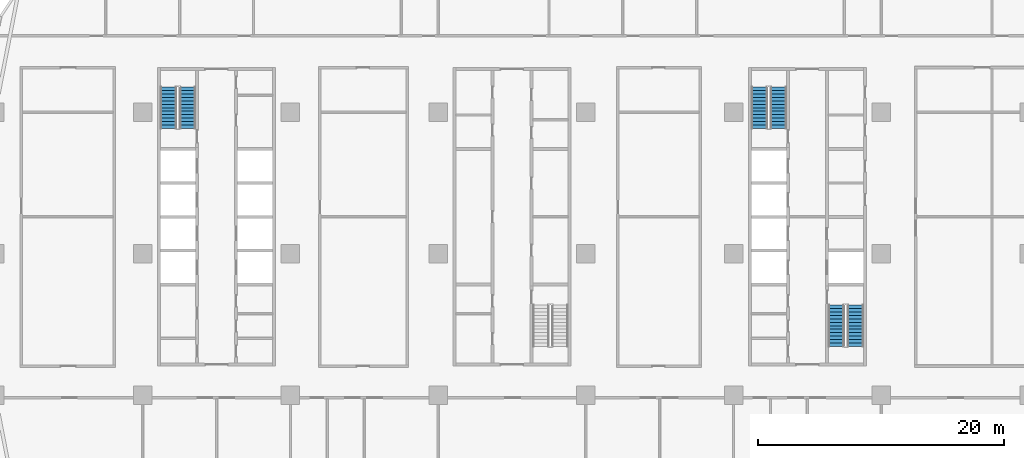
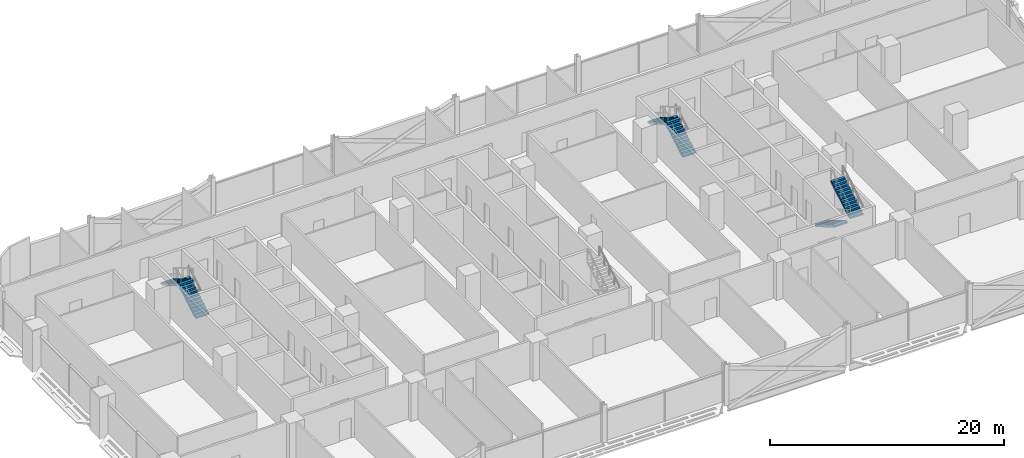
# One storey, part 18 of 29: 6 stair flights, 3 elements without a shape of their own.
"""IFC4 building model written with IfcOpenShell, lengths in metres."""

from ifc_helpers import new_model, si_unit, direction, frame, origin, place, context, subcontext, project, spatial, polyline, outline, extrude, material, type_object, element, aggregate, save


model = new_model("IFC4")

# Units and contexts
model_context = context("Model", 3, precision=1e-05, world=origin(), true_north=direction((0.0, 1.0)))
body_context = subcontext(model_context, "Body", "Model", "MODEL_VIEW")
ifc_project = project(units=[si_unit("LENGTHUNIT", "METRE"), si_unit("AREAUNIT", "SQUARE_METRE"), si_unit("VOLUMEUNIT", "CUBIC_METRE"), si_unit("PLANEANGLEUNIT", "RADIAN"), si_unit("MASSUNIT", "GRAM", prefix="KILO")], contexts=[model_context])

# Site, building, storey
site_placement = place(None, origin())
site = spatial("IfcSite", under=ifc_project, at=site_placement, CompositionType="ELEMENT")
building_placement = place(site_placement, origin())
building = spatial("IfcBuilding", under=site, at=building_placement, Name="Mahtab Terrace Research Tower", CompositionType="ELEMENT")
storey_placement = place(building_placement, frame((0.0, 0.0, 54.60009765625)))
storey = spatial("IfcBuildingStorey", under=building, at=storey_placement, Name="L12", CompositionType="ELEMENT", Elevation=54.60009765625)

# Stair, stair flights
ifc_material_1 = material(Name="Exit stair half-turn")
stair_type = type_object("IfcStairType", Name="Exit stair half-turn", PredefinedType="HALF_TURN_STAIR", material=ifc_material_1)
stair_1_placement = place(storey_placement, origin())
stair_1 = element("IfcStair", 1, at=stair_1_placement, inside=storey, type_object=stair_type, Name="L12 Protected exit stair ST1", PredefinedType="HALF_TURN_STAIR")
ifc_material_2 = material(Name="Concrete C40/50", Category="concrete")
stair_flight_type = type_object("IfcStairFlightType", Name="Exit stair flight 1300", PredefinedType="STRAIGHT", material=ifc_material_2)
stair_flight_1_placement = place(storey_placement, frame((-26.35009765625, 10.175048828125, 0.0), z_axis=(0.0, 0.0, 1.0), x_axis=(0.0, 1.0, 0.0)))
stair_flight_1 = element("IfcStairFlight", 2, at=stair_flight_1_placement, type_object=stair_flight_type, Name="ST1 flight 1", NumberOfRisers=13, NumberOfTreads=12, PredefinedType="STRAIGHT", RiserHeight=0.165384615, TreadLength=0.28, context=body_context, shape_type="SweptSolid", body=[
    extrude(outline(polyline([(0.0, 0.0), (0.0, 0.165283203125), (0.280029296875, 0.165283203125), (0.280029296875, 0.330810546875), (0.56005859375, 0.330810546875), (0.56005859375, 0.49609375), (0.840087890625, 0.49609375), (0.840087890625, 0.66162109375), (1.1201171875, 0.66162109375), (1.1201171875, 0.826904296875), (1.39990234375, 0.826904296875), (1.39990234375, 0.9921875), (1.679931640625, 0.9921875), (1.679931640625, 1.15771484375), (1.9599609375, 1.15771484375), (1.9599609375, 1.322998046875), (2.239990234375, 1.322998046875), (2.239990234375, 1.488525390625), (2.52001953125, 1.488525390625), (2.52001953125, 1.65380859375), (2.800048828125, 1.65380859375), (2.800048828125, 1.8193359375), (3.080078125, 1.8193359375), (3.080078125, 1.984619140625), (3.360107421875, 1.984619140625), (3.360107421875, 2.14990234375), (3.360107421875, 1.810546875), (0.294677734375, 0.0), (0.0, 0.0)])), frame((0.0, 0.64990234375, 0.0), z_axis=(0.0, -1.0, 0.0), x_axis=(1.0, 0.0, 0.0)), (0.0, 0.0, 1.0), 1.300048828125),
])
stair_flight_2_placement = place(storey_placement, frame((-27.89990234375, 13.534912109375, 2.14990234375), z_axis=(0.0, 0.0, 1.0), x_axis=(0.0, -1.0, 0.0)))
stair_flight_2 = element("IfcStairFlight", 3, at=stair_flight_2_placement, type_object=stair_flight_type, Name="ST1 flight 2", NumberOfRisers=13, NumberOfTreads=12, PredefinedType="STRAIGHT", RiserHeight=0.165384615, TreadLength=0.28, context=body_context, shape_type="SweptSolid", body=[
    extrude(outline(polyline([(0.0, 0.0), (0.0, 0.165283203125), (0.280029296875, 0.165283203125), (0.280029296875, 0.330810546875), (0.56005859375, 0.330810546875), (0.56005859375, 0.49609375), (0.840087890625, 0.49609375), (0.840087890625, 0.66162109375), (1.1201171875, 0.66162109375), (1.1201171875, 0.826904296875), (1.39990234375, 0.826904296875), (1.39990234375, 0.9921875), (1.679931640625, 0.9921875), (1.679931640625, 1.15771484375), (1.9599609375, 1.15771484375), (1.9599609375, 1.322998046875), (2.239990234375, 1.322998046875), (2.239990234375, 1.488525390625), (2.52001953125, 1.488525390625), (2.52001953125, 1.65380859375), (2.800048828125, 1.65380859375), (2.800048828125, 1.8193359375), (3.080078125, 1.8193359375), (3.080078125, 1.984619140625), (3.360107421875, 1.984619140625), (3.360107421875, 2.14990234375), (3.360107421875, 1.810546875), (0.294677734375, 0.0), (0.0, 0.0)])), frame((0.0, 0.64990234375, 0.0), z_axis=(0.0, -1.0, 0.0), x_axis=(1.0, 0.0, 0.0)), (0.0, 0.0, 1.0), 1.300048828125),
])
aggregate(stair_1, [stair_flight_1, stair_flight_2])

stair_2_placement = place(storey_placement, origin())
stair_2 = element("IfcStair", 4, at=stair_2_placement, inside=storey, type_object=stair_type, Name="L12 Protected exit stair ST3", PredefinedType="HALF_TURN_STAIR")
stair_flight_3_placement = place(storey_placement, frame((21.64990234375, 10.175048828125, 0.0), z_axis=(0.0, 0.0, 1.0), x_axis=(0.0, 1.0, 0.0)))
stair_flight_3 = element("IfcStairFlight", 5, at=stair_flight_3_placement, type_object=stair_flight_type, Name="ST3 flight 1", NumberOfRisers=13, NumberOfTreads=12, PredefinedType="STRAIGHT", RiserHeight=0.165384615, TreadLength=0.28, context=body_context, shape_type="SweptSolid", body=[
    extrude(outline(polyline([(0.0, 0.0), (0.0, 0.165283203125), (0.280029296875, 0.165283203125), (0.280029296875, 0.330810546875), (0.56005859375, 0.330810546875), (0.56005859375, 0.49609375), (0.840087890625, 0.49609375), (0.840087890625, 0.66162109375), (1.1201171875, 0.66162109375), (1.1201171875, 0.826904296875), (1.39990234375, 0.826904296875), (1.39990234375, 0.9921875), (1.679931640625, 0.9921875), (1.679931640625, 1.15771484375), (1.9599609375, 1.15771484375), (1.9599609375, 1.322998046875), (2.239990234375, 1.322998046875), (2.239990234375, 1.488525390625), (2.52001953125, 1.488525390625), (2.52001953125, 1.65380859375), (2.800048828125, 1.65380859375), (2.800048828125, 1.8193359375), (3.080078125, 1.8193359375), (3.080078125, 1.984619140625), (3.360107421875, 1.984619140625), (3.360107421875, 2.14990234375), (3.360107421875, 1.810546875), (0.294677734375, 0.0), (0.0, 0.0)])), frame((0.0, 0.64990234375, 0.0), z_axis=(0.0, -1.0, 0.0), x_axis=(1.0, 0.0, 0.0)), (0.0, 0.0, 1.0), 1.300048828125),
])
stair_flight_4_placement = place(storey_placement, frame((20.10009765625, 13.534912109375, 2.14990234375), z_axis=(0.0, 0.0, 1.0), x_axis=(0.0, -1.0, 0.0)))
stair_flight_4 = element("IfcStairFlight", 6, at=stair_flight_4_placement, type_object=stair_flight_type, Name="ST3 flight 2", NumberOfRisers=13, NumberOfTreads=12, PredefinedType="STRAIGHT", RiserHeight=0.165384615, TreadLength=0.28, context=body_context, shape_type="SweptSolid", body=[
    extrude(outline(polyline([(0.0, 0.0), (0.0, 0.165283203125), (0.280029296875, 0.165283203125), (0.280029296875, 0.330810546875), (0.56005859375, 0.330810546875), (0.56005859375, 0.49609375), (0.840087890625, 0.49609375), (0.840087890625, 0.66162109375), (1.1201171875, 0.66162109375), (1.1201171875, 0.826904296875), (1.39990234375, 0.826904296875), (1.39990234375, 0.9921875), (1.679931640625, 0.9921875), (1.679931640625, 1.15771484375), (1.9599609375, 1.15771484375), (1.9599609375, 1.322998046875), (2.239990234375, 1.322998046875), (2.239990234375, 1.488525390625), (2.52001953125, 1.488525390625), (2.52001953125, 1.65380859375), (2.800048828125, 1.65380859375), (2.800048828125, 1.8193359375), (3.080078125, 1.8193359375), (3.080078125, 1.984619140625), (3.360107421875, 1.984619140625), (3.360107421875, 2.14990234375), (3.360107421875, 1.810546875), (0.294677734375, 0.0), (0.0, 0.0)])), frame((0.0, 0.64990234375, 0.0), z_axis=(0.0, -1.0, 0.0), x_axis=(1.0, 0.0, 0.0)), (0.0, 0.0, 1.0), 1.300048828125),
])
aggregate(stair_2, [stair_flight_3, stair_flight_4])

stair_3_placement = place(storey_placement, origin())
stair_3 = element("IfcStair", 7, at=stair_3_placement, inside=storey, type_object=stair_type, Name="L12 Protected exit stair ST4", PredefinedType="HALF_TURN_STAIR")
stair_flight_5_placement = place(storey_placement, frame((26.35009765625, -4.175048828125, 0.0), z_axis=(0.0, 0.0, 1.0), x_axis=(0.0, -1.0, 0.0)))
stair_flight_5 = element("IfcStairFlight", 8, at=stair_flight_5_placement, type_object=stair_flight_type, Name="ST4 flight 1", NumberOfRisers=13, NumberOfTreads=12, PredefinedType="STRAIGHT", RiserHeight=0.165384615, TreadLength=0.28, context=body_context, shape_type="SweptSolid", body=[
    extrude(outline(polyline([(0.0, 0.0), (0.0, 0.165283203125), (0.280029296875, 0.165283203125), (0.280029296875, 0.330810546875), (0.56005859375, 0.330810546875), (0.56005859375, 0.49609375), (0.840087890625, 0.49609375), (0.840087890625, 0.66162109375), (1.1201171875, 0.66162109375), (1.1201171875, 0.826904296875), (1.39990234375, 0.826904296875), (1.39990234375, 0.9921875), (1.679931640625, 0.9921875), (1.679931640625, 1.15771484375), (1.9599609375, 1.15771484375), (1.9599609375, 1.322998046875), (2.239990234375, 1.322998046875), (2.239990234375, 1.488525390625), (2.52001953125, 1.488525390625), (2.52001953125, 1.65380859375), (2.800048828125, 1.65380859375), (2.800048828125, 1.8193359375), (3.080078125, 1.8193359375), (3.080078125, 1.984619140625), (3.360107421875, 1.984619140625), (3.360107421875, 2.14990234375), (3.360107421875, 1.810546875), (0.294677734375, 0.0), (0.0, 0.0)])), frame((0.0, 0.64990234375, 0.0), z_axis=(0.0, -1.0, 0.0), x_axis=(1.0, 0.0, 0.0)), (0.0, 0.0, 1.0), 1.300048828125),
])
stair_flight_6_placement = place(storey_placement, frame((27.89990234375, -7.534912109375, 2.14990234375), z_axis=(0.0, 0.0, 1.0), x_axis=(0.0, 1.0, 0.0)))
stair_flight_6 = element("IfcStairFlight", 9, at=stair_flight_6_placement, type_object=stair_flight_type, Name="ST4 flight 2", NumberOfRisers=13, NumberOfTreads=12, PredefinedType="STRAIGHT", RiserHeight=0.165384615, TreadLength=0.28, context=body_context, shape_type="SweptSolid", body=[
    extrude(outline(polyline([(0.0, 0.0), (0.0, 0.165283203125), (0.280029296875, 0.165283203125), (0.280029296875, 0.330810546875), (0.56005859375, 0.330810546875), (0.56005859375, 0.49609375), (0.840087890625, 0.49609375), (0.840087890625, 0.66162109375), (1.1201171875, 0.66162109375), (1.1201171875, 0.826904296875), (1.39990234375, 0.826904296875), (1.39990234375, 0.9921875), (1.679931640625, 0.9921875), (1.679931640625, 1.15771484375), (1.9599609375, 1.15771484375), (1.9599609375, 1.322998046875), (2.239990234375, 1.322998046875), (2.239990234375, 1.488525390625), (2.52001953125, 1.488525390625), (2.52001953125, 1.65380859375), (2.800048828125, 1.65380859375), (2.800048828125, 1.8193359375), (3.080078125, 1.8193359375), (3.080078125, 1.984619140625), (3.360107421875, 1.984619140625), (3.360107421875, 2.14990234375), (3.360107421875, 1.810546875), (0.294677734375, 0.0), (0.0, 0.0)])), frame((0.0, 0.64990234375, 0.0), z_axis=(0.0, -1.0, 0.0), x_axis=(1.0, 0.0, 0.0)), (0.0, 0.0, 1.0), 1.300048828125),
])
aggregate(stair_3, [stair_flight_5, stair_flight_6])

save(model, "model.ifc")
